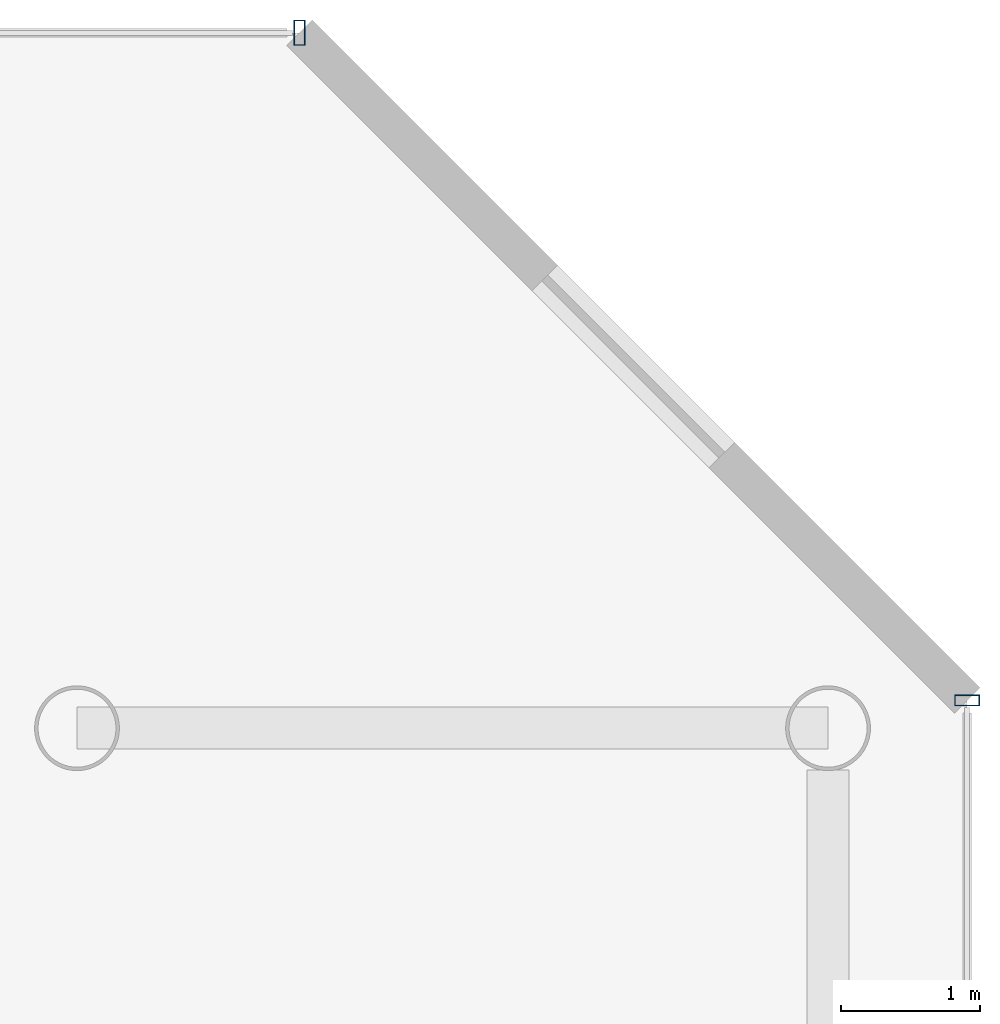
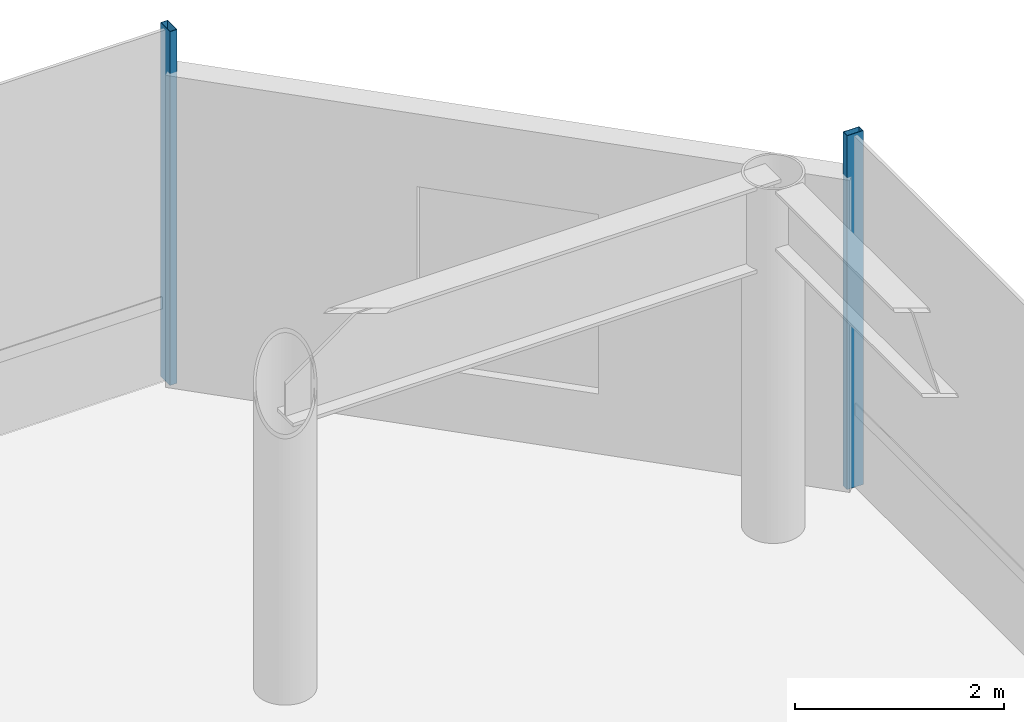
# One storey, part 31 of 37: 2 members, 2 elements without a shape of their own.
"""IFC4 building model written with IfcOpenShell, lengths in metres."""

from ifc_helpers import new_model, si_unit, direction, frame, origin, origin_2d, place, context, subcontext, project, spatial, hollow_rectangle, extrude, material, layer, layer_set, material_profile, profile_set, type_object, element, aggregate, save


model = new_model("IFC4")

# Units and contexts
model_context = context("Model", 3, precision=1e-05, world=origin(), true_north=direction((0.0, 1.0)))
body_context = subcontext(model_context, "Body", "Model", "MODEL_VIEW")
ifc_project = project(units=[si_unit("LENGTHUNIT", "METRE"), si_unit("AREAUNIT", "SQUARE_METRE"), si_unit("VOLUMEUNIT", "CUBIC_METRE"), si_unit("PLANEANGLEUNIT", "RADIAN"), si_unit("MASSUNIT", "GRAM", prefix="KILO")], contexts=[model_context])

# Site, building, storey
site_placement = place(None, origin())
site = spatial("IfcSite", under=ifc_project, at=site_placement, CompositionType="ELEMENT")
building_placement = place(site_placement, origin())
building = spatial("IfcBuilding", under=site, at=building_placement, Name="Zarrinselat Tower", CompositionType="ELEMENT")
storey_placement = place(building_placement, frame((0.0, 0.0, 9.52001953125)))
storey = spatial("IfcBuildingStorey", under=building, at=storey_placement, Name="L02", CompositionType="ELEMENT", Elevation=9.52001953125)

# Curtain wall, member
ifc_material_1 = material(Name="Extruded Aluminium Alloy EN AW-6063 T6", Category="aluminium")
ifc_layer = layer(ifc_material_1, 0.2099609375)
ifc_layer_set = layer_set([ifc_layer], Name="Extruded Aluminium Alloy EN AW-6063 T6")
curtain_wall_type = type_object("IfcCurtainWallType", Name="CWS-POD", PredefinedType="NOTDEFINED", material=ifc_layer_set)
curtain_wall_1_placement = place(storey_placement, origin())
curtain_wall_1 = element("IfcCurtainWall", 1, at=curtain_wall_1_placement, inside=storey, type_object=curtain_wall_type, Name="L02 Unitised Curtain Wall CW-L02-F3", PredefinedType="NOTDEFINED")
ifc_material_2 = material(Name="Extruded Aluminium Alloy EN AW-6063 T6", Category="aluminium")
ifc_material_profile = material_profile(ifc_material_2, hollow_rectangle(XDim=0.080078125, YDim=0.179931640625, WallThickness=0.0048828125, at=origin_2d()), Name="RHS 180x80x5")
ifc_profile_set = profile_set([ifc_material_profile], Name="Extruded Aluminium Alloy EN AW-6063 T6")
member_type = type_object("IfcMemberType", Name="MEM-CW-MUL", PredefinedType="MULLION", material=ifc_profile_set)
member_1_placement = place(storey_placement, frame((74.39990234375, 47.0, 0.0), z_axis=(0.0, 0.0, 1.0), x_axis=(0.0, 1.0, 0.0)))
member_1 = element("IfcMember", 2, at=member_1_placement, type_object=member_type, Name="CW-L02-F3 Mullion 10", PredefinedType="MULLION", context=body_context, shape_type="SweptSolid", body=[
    extrude(hollow_rectangle(XDim=0.080078125, YDim=0.179931640625, WallThickness=0.0048828125, at=origin_2d()), origin(), (0.0, 0.0, 1.0), 4.139892578125),
])
aggregate(curtain_wall_1, [member_1])

curtain_wall_2_placement = place(storey_placement, origin())
curtain_wall_2 = element("IfcCurtainWall", 3, at=curtain_wall_2_placement, inside=storey, type_object=curtain_wall_type, Name="L02 Unitised Curtain Wall CW-L02-F5", PredefinedType="NOTDEFINED")
member_2_placement = place(storey_placement, frame((69.60009765625, 51.800048828125, 0.0), z_axis=(0.0, 0.0, 1.0), x_axis=(-1.0, 0.0, 0.0)))
member_2 = element("IfcMember", 4, at=member_2_placement, type_object=member_type, Name="CW-L02-F5 Mullion 0", PredefinedType="MULLION", context=body_context, shape_type="SweptSolid", body=[
    extrude(hollow_rectangle(XDim=0.080078125, YDim=0.179931640625, WallThickness=0.0048828125, at=origin_2d()), origin(), (0.0, 0.0, 1.0), 4.139892578125),
])
aggregate(curtain_wall_2, [member_2])

save(model, "model.ifc")
